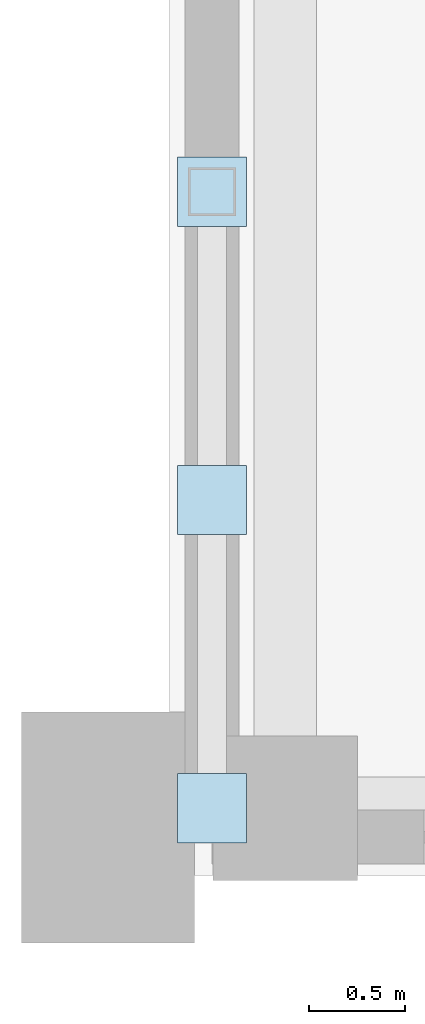
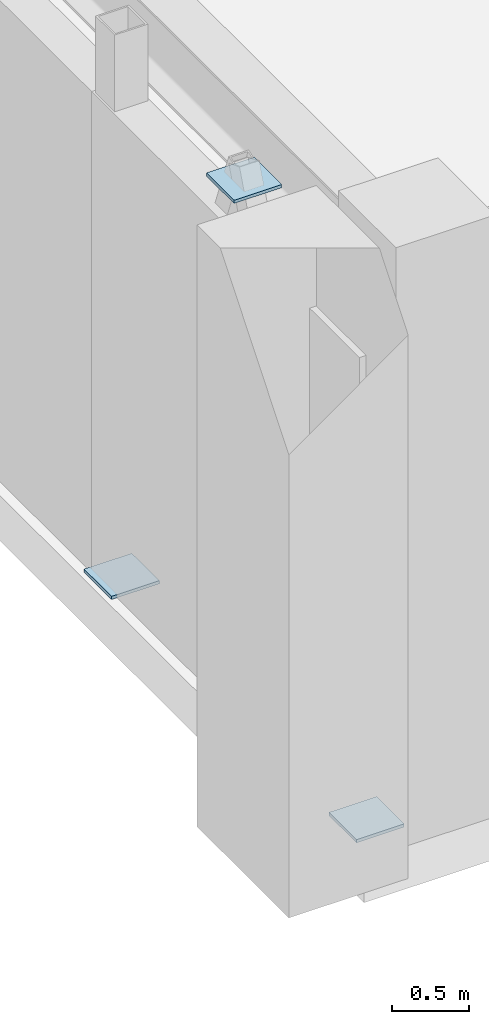
# One storey, part 80 of 126: 3 plates.
"""IFC4 building model written with IfcOpenShell, lengths in metres."""

from ifc_helpers import new_model, si_unit, derived_unit, direction, frame, origin, origin_2d, place, context, subcontext, project, spatial, rectangle, extrude, material, layer, layer_set, type_object, element, save


model = new_model("IFC4")

# Units and contexts
model_context = context("Model", 3, precision=1e-05, world=origin(), true_north=direction((0.0, 1.0)))
body_context = subcontext(model_context, "Body", "Model", "MODEL_VIEW")
ifc_project = project(units=[si_unit("LENGTHUNIT", "METRE"), si_unit("AREAUNIT", "SQUARE_METRE"), si_unit("VOLUMEUNIT", "CUBIC_METRE"), si_unit("PLANEANGLEUNIT", "RADIAN"), si_unit("MASSUNIT", "GRAM", prefix="KILO"), derived_unit("THERMALTRANSMITTANCEUNIT", [(si_unit("MASSUNIT", "GRAM", prefix="KILO"), 1), (si_unit("TIMEUNIT", "SECOND"), -3), (si_unit("THERMODYNAMICTEMPERATUREUNIT", "KELVIN"), -1)])], contexts=[model_context])

# Site, building, storey
site_placement = place(None, origin())
site = spatial("IfcSite", under=ifc_project, at=site_placement, CompositionType="ELEMENT")
building_placement = place(site_placement, origin())
building = spatial("IfcBuilding", under=site, at=building_placement, Name="Valcora Ridge Arena", CompositionType="ELEMENT")
storey_placement = place(building_placement, frame((0.0, 0.0, 11.39990234375)))
storey = spatial("IfcBuildingStorey", under=building, at=storey_placement, Name="L02", CompositionType="ELEMENT", Elevation=11.39990234375)

# Plates
ifc_material = material(Name="Steel ASTM A572 Grade 50", Category="steel")
ifc_layer = layer(ifc_material, 0.02490234375, Name="Steel ASTM A572 Grade 50")
ifc_layer_set = layer_set([ifc_layer], Name="Steel ASTM A572 Grade 50")
plate_type = type_object("IfcPlateType", Name="TY-PLATE-PL-GUS-25", PredefinedType="USERDEFINED", material=ifc_layer_set)
for number, where, z_axis, x_axis, name in (
    (1, (24.219970703125, 108.699951171875, 0.000244140625), (0.0, 0.0, 1.0), (1.0, 0.0, 0.0), "PL-GUS-25 BR-GP-0025"),
    (2, (24.219970703125, 111.89990234375, 0.000244140625), (0.0, 0.0, 1.0), (1.0, 0.0, 0.0), "PL-GUS-25 BR-GP-0026"),
    (3, (24.219970703125, 110.300048828125, 4.130126953125), (0.0, 0.0, 1.0), (1.0, 0.0, 0.0), "PL-GUS-25 BR-GP-0027"),
):
    element("IfcPlate", number, at=place(storey_placement, frame(where, z_axis=z_axis, x_axis=x_axis)), inside=storey, type_object=plate_type, Name=name, ObjectType="GUSSET_PLATE", PredefinedType="USERDEFINED", context=body_context, shape_type="SweptSolid", body=[
        extrude(rectangle(XDim=0.360107421875, YDim=0.360107421875, at=origin_2d()), origin(), (0.0, 0.0, 1.0), 0.02490234375),
    ])

save(model, "model.ifc")
